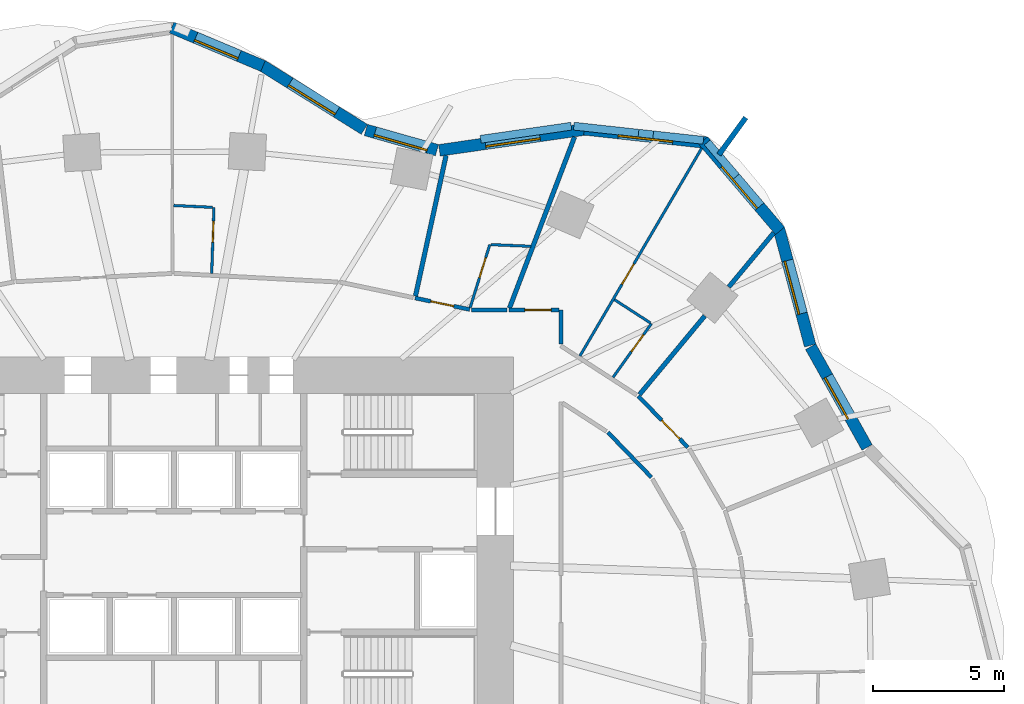
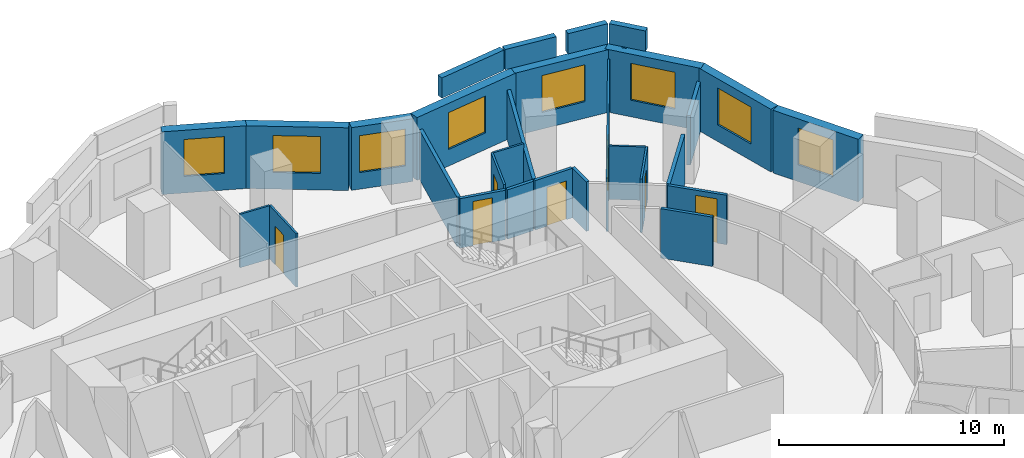
# One storey, part 9 of 11: 30 walls, 8 windows, 7 doors, 15 openings.
"""IFC4 building model written with IfcOpenShell, lengths in metres."""

from ifc_helpers import new_model, si_unit, direction, frame, frame_2d, origin, place, context, subcontext, project, spatial, rectangle, extrude, material, layer, layer_set, type_object, element, fill, save


model = new_model("IFC4")

# Units and contexts
model_context = context("Model", 3, precision=1e-05, world=origin(), true_north=direction((0.0, 1.0)))
body_context = subcontext(model_context, "Body", "Model", "MODEL_VIEW")
ifc_project = project(units=[si_unit("LENGTHUNIT", "METRE"), si_unit("AREAUNIT", "SQUARE_METRE"), si_unit("VOLUMEUNIT", "CUBIC_METRE"), si_unit("PLANEANGLEUNIT", "RADIAN"), si_unit("MASSUNIT", "GRAM", prefix="KILO")], contexts=[model_context])

# Site, building, storey
site_placement = place(None, origin())
site = spatial("IfcSite", under=ifc_project, at=site_placement, CompositionType="ELEMENT")
building_placement = place(site_placement, origin())
building = spatial("IfcBuilding", under=site, at=building_placement, Name="Rubra Terraces Tower", CompositionType="ELEMENT")
storey_placement = place(building_placement, frame((0.0, 0.0, 59.10009765625)))
storey = spatial("IfcBuildingStorey", under=building, at=storey_placement, Name="L12", CompositionType="ELEMENT", Elevation=59.10009765625)

# Walls
ifc_material_1 = material(Name="Twin plasterboard on staggered steel stud, acoustic mineral wool", Category="steel")
ifc_layer_1 = layer(ifc_material_1, 0.175048828125)
ifc_layer_set_1 = layer_set([ifc_layer_1], Name="Twin plasterboard on staggered steel stud, acoustic mineral wool")
wall_type_1 = type_object("IfcWallType", Name="ACOUSTIC PARTY WALL 175", PredefinedType="PARTITIONING", material=ifc_layer_set_1)
wall_1_placement = place(storey_placement, frame((22.94677734375, 16.752197265625, 0.0), z_axis=(0.0, 0.0, 1.0), x_axis=(-0.638756388383, -0.769409043552, 0.0)))
element("IfcWall", 1, at=wall_1_placement, inside=storey, type_object=wall_type_1, Name="PARTITION", PredefinedType="PARTITIONING", context=body_context, shape_type="SweptSolid", body=[
    extrude(rectangle(XDim=2.692626953125, YDim=0.175048828125, at=frame_2d((1.34619140625, 0.0))), origin(), (0.0, 0.0, 1.0), 2.679931640625),
])
wall_2_placement = place(storey_placement, frame((20.306884765625, 13.572509765625, 0.0), z_axis=(0.0, 0.0, 1.0), x_axis=(-0.638751887509, -0.769412780114, 0.0)))
element("IfcWall", 2, at=wall_2_placement, inside=storey, type_object=wall_type_1, Name="PARTITION", PredefinedType="PARTITIONING", context=body_context, shape_type="SweptSolid", body=[
    extrude(rectangle(XDim=3.908935546875, YDim=0.175048828125, at=frame_2d((1.95458984375, 0.0))), origin(), (0.0, 0.0, 1.0), 2.679931640625),
])
wall_3_placement = place(storey_placement, frame((15.32666015625, 20.418701171875, 0.0), z_axis=(0.0, 0.0, 1.0), x_axis=(-0.355499704179, -0.934676393373, 0.0)))
element("IfcWall", 3, at=wall_3_placement, inside=storey, type_object=wall_type_1, Name="PARTITION", PredefinedType="PARTITIONING", context=body_context, shape_type="SweptSolid", body=[
    extrude(rectangle(XDim=7.00634765625, YDim=0.175048828125, at=frame_2d((3.503173828125, 0.0))), origin(), (0.0, 0.0, 1.0), 2.679931640625),
])
wall_4_placement = place(storey_placement, frame((10.411376953125, 19.7099609375, 0.0), z_axis=(0.0, 0.0, 1.0), x_axis=(-0.212613726561, -0.977136327888, 0.0)))
element("IfcWall", 4, at=wall_4_placement, inside=storey, type_object=wall_type_1, Name="PARTITION", PredefinedType="PARTITIONING", context=body_context, shape_type="SweptSolid", body=[
    extrude(rectangle(XDim=5.506103515625, YDim=0.175048828125, at=frame_2d((2.7529296875, 0.0))), origin(), (0.0, 0.0, 1.0), 2.679931640625),
])

# Wall, opening, window
ifc_material_2 = material(Name="Brick masonry red-brown", Category="masonry")
ifc_layer_2 = layer(ifc_material_2, 0.449951171875)
ifc_layer_set_2 = layer_set([ifc_layer_2], Name="Brick masonry red-brown")
wall_type_2 = type_object("IfcWallType", Name="Brick facade wall 450", PredefinedType="SOLIDWALL", material=ifc_layer_set_2)
wall_5_placement = place(storey_placement, frame((26.513671875, 8.541015625, 0.0), z_axis=(0.0, 0.0, 1.0), x_axis=(-0.488504028898, 0.87256163894, 0.0)))
wall_5 = element("IfcWall", 5, at=wall_5_placement, inside=storey, type_object=wall_type_2, Name="Facade wall L12 bay 3", PredefinedType="SOLIDWALL", context=body_context, shape_type="SweptSolid", body=[
    extrude(rectangle(XDim=4.41552734375, YDim=0.449951171875, at=frame_2d((2.207763671875, 0.0))), origin(), (0.0, 0.0, 1.0), 3.39990234375),
])
opening_1_placement = place(wall_5_placement, frame((1.307861328125, 0.0, 0.89990234375)))
opening_1 = element("IfcOpeningElement", 6, at=opening_1_placement, cuts=wall_5, Name="Opening W6", PredefinedType="OPENING", context=body_context, shape_type="SweptSolid", body=[
    extrude(rectangle(XDim=1.800048828125, YDim=2.0, at=frame_2d((0.89990234375, 1.0))), frame((0.0, 0.23486328125, 0.0), z_axis=(0.0, -1.0, 0.0), x_axis=(1.0, 0.0, 0.0)), (0.0, 0.0, 1.0), 0.469970703125),
])
ifc_material_3 = material(Name="Clear glass in aluminium frame", Category="aluminium")
window_type_1 = type_object("IfcWindowType", Name="Fixed deep-set window at wind fin 1800 x 2000", PartitioningType="SINGLE_PANEL", PredefinedType="WINDOW", material=ifc_material_3)
window_1_placement = place(opening_1_placement, origin())
window_1 = element("IfcWindow", 7, at=window_1_placement, inside=storey, type_object=window_type_1, Name="Window L12 bay 3", OverallHeight=2.0, OverallWidth=1.800048828125, PartitioningType="SINGLE_PANEL", PredefinedType="WINDOW", context=body_context, shape_type="SweptSolid", body=[
    extrude(rectangle(XDim=1.800048828125, YDim=2.0, at=frame_2d((0.89990234375, 1.0))), frame((0.0, 0.135009765625, 0.0), z_axis=(0.0, -1.0, 0.0), x_axis=(1.0, 0.0, 0.0)), (0.0, 0.0, 1.0), 0.06005859375),
])
fill(opening_1, window_1)

wall_6_placement = place(storey_placement, frame((24.33740234375, 12.439453125, 0.0), z_axis=(0.0, 0.0, 1.0), x_axis=(-0.258441377569, 0.966026942875, 0.0)))
wall_6 = element("IfcWall", 8, at=wall_6_placement, inside=storey, type_object=wall_type_2, Name="Facade wall L12 bay 4", PredefinedType="SOLIDWALL", context=body_context, shape_type="SweptSolid", body=[
    extrude(rectangle(XDim=4.6240234375, YDim=0.449951171875, at=frame_2d((2.31201171875, 0.0))), origin(), (0.0, 0.0, 1.0), 3.39990234375),
])
opening_2_placement = place(wall_6_placement, frame((1.26220703125, 0.0, 0.89990234375)))
opening_2 = element("IfcOpeningElement", 9, at=opening_2_placement, cuts=wall_6, Name="Opening W1", PredefinedType="OPENING", context=body_context, shape_type="SweptSolid", body=[
    extrude(rectangle(XDim=2.10009765625, YDim=2.0, at=frame_2d((1.050048828125, 1.0))), frame((0.0, 0.23486328125, 0.0), z_axis=(0.0, -1.0, 0.0), x_axis=(1.0, 0.0, 0.0)), (0.0, 0.0, 1.0), 0.469970703125),
])
window_type_2 = type_object("IfcWindowType", Name="Fixed deep-set window 2100 x 2000", PartitioningType="SINGLE_PANEL", PredefinedType="WINDOW", material=ifc_material_3)
window_2_placement = place(opening_2_placement, origin())
window_2 = element("IfcWindow", 10, at=window_2_placement, inside=storey, type_object=window_type_2, Name="Window L12 bay 4", OverallHeight=2.0, OverallWidth=2.10009765625, PartitioningType="SINGLE_PANEL", PredefinedType="WINDOW", context=body_context, shape_type="SweptSolid", body=[
    extrude(rectangle(XDim=2.10009765625, YDim=2.0, at=frame_2d((1.050048828125, 1.0))), frame((0.0, 0.135009765625, 0.0), z_axis=(0.0, -1.0, 0.0), x_axis=(1.0, 0.0, 0.0)), (0.0, 0.0, 1.0), 0.06005859375),
])
fill(opening_2, window_2)

wall_7_placement = place(storey_placement, frame((23.186767578125, 16.8251953125, 0.0), z_axis=(0.0, 0.0, 1.0), x_axis=(-0.648462985992, 0.761246186065, 0.0)))
wall_7 = element("IfcWall", 11, at=wall_7_placement, inside=storey, type_object=wall_type_2, Name="Facade wall L12 bay 5", PredefinedType="SOLIDWALL", context=body_context, shape_type="SweptSolid", body=[
    extrude(rectangle(XDim=4.53076171875, YDim=0.449951171875, at=frame_2d((2.265380859375, 0.0))), origin(), (0.0, 0.0, 1.0), 3.39990234375),
])
opening_3_placement = place(wall_7_placement, frame((1.21533203125, 0.0, 0.89990234375)))
opening_3 = element("IfcOpeningElement", 12, at=opening_3_placement, cuts=wall_7, Name="Opening W1", PredefinedType="OPENING", context=body_context, shape_type="SweptSolid", body=[
    extrude(rectangle(XDim=2.10009765625, YDim=2.0, at=frame_2d((1.050048828125, 1.0))), frame((0.0, 0.23486328125, 0.0), z_axis=(0.0, -1.0, 0.0), x_axis=(1.0, 0.0, 0.0)), (0.0, 0.0, 1.0), 0.469970703125),
])
window_3_placement = place(opening_3_placement, origin())
window_3 = element("IfcWindow", 13, at=window_3_placement, inside=storey, type_object=window_type_2, Name="Window L12 bay 5", OverallHeight=2.0, OverallWidth=2.10009765625, PartitioningType="SINGLE_PANEL", PredefinedType="WINDOW", context=body_context, shape_type="SweptSolid", body=[
    extrude(rectangle(XDim=2.10009765625, YDim=2.0, at=frame_2d((1.050048828125, 1.0))), frame((0.0, 0.135009765625, 0.0), z_axis=(0.0, -1.0, 0.0), x_axis=(1.0, 0.0, 0.0)), (0.0, 0.0, 1.0), 0.06005859375),
])
fill(opening_3, window_3)

wall_8_placement = place(storey_placement, frame((20.3955078125, 20.1962890625, 0.0), z_axis=(0.0, 0.0, 1.0), x_axis=(-0.994063142291, 0.108804729393, 0.0)))
wall_8 = element("IfcWall", 14, at=wall_8_placement, inside=storey, type_object=wall_type_2, Name="Facade wall L12 bay 6", PredefinedType="SOLIDWALL", context=body_context, shape_type="SweptSolid", body=[
    extrude(rectangle(XDim=4.727783203125, YDim=0.449951171875, at=frame_2d((2.36376953125, 0.0))), origin(), (0.0, 0.0, 1.0), 3.39990234375),
])
opening_4_placement = place(wall_8_placement, frame((1.31396484375, 0.0, 0.89990234375)))
opening_4 = element("IfcOpeningElement", 15, at=opening_4_placement, cuts=wall_8, Name="Opening W1", PredefinedType="OPENING", context=body_context, shape_type="SweptSolid", body=[
    extrude(rectangle(XDim=2.10009765625, YDim=2.0, at=frame_2d((1.050048828125, 1.0))), frame((0.0, 0.23486328125, 0.0), z_axis=(0.0, -1.0, 0.0), x_axis=(1.0, 0.0, 0.0)), (0.0, 0.0, 1.0), 0.469970703125),
])
window_4_placement = place(opening_4_placement, origin())
window_4 = element("IfcWindow", 16, at=window_4_placement, inside=storey, type_object=window_type_2, Name="Window L12 bay 6", OverallHeight=2.0, OverallWidth=2.10009765625, PartitioningType="SINGLE_PANEL", PredefinedType="WINDOW", context=body_context, shape_type="SweptSolid", body=[
    extrude(rectangle(XDim=2.10009765625, YDim=2.0, at=frame_2d((1.050048828125, 1.0))), frame((0.0, 0.135009765625, 0.0), z_axis=(0.0, -1.0, 0.0), x_axis=(1.0, 0.0, 0.0)), (0.0, 0.0, 1.0), 0.06005859375),
])
fill(opening_4, window_4)

wall_9_placement = place(storey_placement, frame((15.752197265625, 20.71142578125, 0.0), z_axis=(0.0, 0.0, 1.0), x_axis=(-0.989761192351, -0.142733255115, 0.0)))
wall_9 = element("IfcWall", 17, at=wall_9_placement, inside=storey, type_object=wall_type_2, Name="Facade wall L12 bay 7", PredefinedType="SOLIDWALL", context=body_context, shape_type="SweptSolid", body=[
    extrude(rectangle(XDim=5.653076171875, YDim=0.449951171875, at=frame_2d((2.82666015625, 0.0))), origin(), (0.0, 0.0, 1.0), 3.39990234375),
])
opening_5_placement = place(wall_9_placement, frame((1.776611328125, 0.0, 0.89990234375)))
opening_5 = element("IfcOpeningElement", 18, at=opening_5_placement, cuts=wall_9, Name="Opening W1", PredefinedType="OPENING", context=body_context, shape_type="SweptSolid", body=[
    extrude(rectangle(XDim=2.10009765625, YDim=2.0, at=frame_2d((1.050048828125, 1.0))), frame((0.0, 0.23486328125, 0.0), z_axis=(0.0, -1.0, 0.0), x_axis=(1.0, 0.0, 0.0)), (0.0, 0.0, 1.0), 0.469970703125),
])
window_5_placement = place(opening_5_placement, origin())
window_5 = element("IfcWindow", 19, at=window_5_placement, inside=storey, type_object=window_type_2, Name="Window L12 bay 7", OverallHeight=2.0, OverallWidth=2.10009765625, PartitioningType="SINGLE_PANEL", PredefinedType="WINDOW", context=body_context, shape_type="SweptSolid", body=[
    extrude(rectangle(XDim=2.10009765625, YDim=2.0, at=frame_2d((1.050048828125, 1.0))), frame((0.0, 0.135009765625, 0.0), z_axis=(0.0, -1.0, 0.0), x_axis=(1.0, 0.0, 0.0)), (0.0, 0.0, 1.0), 0.06005859375),
])
fill(opening_5, window_5)

wall_10_placement = place(storey_placement, frame((10.063232421875, 19.910888671875, 0.0), z_axis=(0.0, 0.0, 1.0), x_axis=(-0.961982029567, 0.273112751057, 0.0)))
wall_10 = element("IfcWall", 20, at=wall_10_placement, inside=storey, type_object=wall_type_2, Name="Facade wall L12 bay 8", PredefinedType="SOLIDWALL", context=body_context, shape_type="SweptSolid", body=[
    extrude(rectangle(XDim=2.827392578125, YDim=0.449951171875, at=frame_2d((1.41357421875, 0.0))), origin(), (0.0, 0.0, 1.0), 3.39990234375),
])
opening_6_placement = place(wall_10_placement, frame((0.36376953125, 0.0, 0.89990234375)))
opening_6 = element("IfcOpeningElement", 21, at=opening_6_placement, cuts=wall_10, Name="Opening W1", PredefinedType="OPENING", context=body_context, shape_type="SweptSolid", body=[
    extrude(rectangle(XDim=2.10009765625, YDim=2.0, at=frame_2d((1.050048828125, 1.0))), frame((0.0, 0.23486328125, 0.0), z_axis=(0.0, -1.0, 0.0), x_axis=(1.0, 0.0, 0.0)), (0.0, 0.0, 1.0), 0.469970703125),
])
window_6_placement = place(opening_6_placement, origin())
window_6 = element("IfcWindow", 22, at=window_6_placement, inside=storey, type_object=window_type_2, Name="Window L12 bay 8", OverallHeight=2.0, OverallWidth=2.10009765625, PartitioningType="SINGLE_PANEL", PredefinedType="WINDOW", context=body_context, shape_type="SweptSolid", body=[
    extrude(rectangle(XDim=2.10009765625, YDim=2.0, at=frame_2d((1.050048828125, 1.0))), frame((0.0, 0.135009765625, 0.0), z_axis=(0.0, -1.0, 0.0), x_axis=(1.0, 0.0, 0.0)), (0.0, 0.0, 1.0), 0.06005859375),
])
fill(opening_6, window_6)

wall_11_placement = place(storey_placement, frame((7.28564453125, 20.70849609375, 0.0), z_axis=(0.0, 0.0, 1.0), x_axis=(-0.848420894374, 0.529322194878, 0.0)))
wall_11 = element("IfcWall", 23, at=wall_11_placement, inside=storey, type_object=wall_type_2, Name="Facade wall L12 bay 9", PredefinedType="SOLIDWALL", context=body_context, shape_type="SweptSolid", body=[
    extrude(rectangle(XDim=4.60595703125, YDim=0.449951171875, at=frame_2d((2.302978515625, 0.0))), origin(), (0.0, 0.0, 1.0), 3.39990234375),
])
opening_7_placement = place(wall_11_placement, frame((1.2529296875, 0.0, 0.89990234375)))
opening_7 = element("IfcOpeningElement", 24, at=opening_7_placement, cuts=wall_11, Name="Opening W1", PredefinedType="OPENING", context=body_context, shape_type="SweptSolid", body=[
    extrude(rectangle(XDim=2.10009765625, YDim=2.0, at=frame_2d((1.050048828125, 1.0))), frame((0.0, 0.23486328125, 0.0), z_axis=(0.0, -1.0, 0.0), x_axis=(1.0, 0.0, 0.0)), (0.0, 0.0, 1.0), 0.469970703125),
])
window_7_placement = place(opening_7_placement, origin())
window_7 = element("IfcWindow", 25, at=window_7_placement, inside=storey, type_object=window_type_2, Name="Window L12 bay 9", OverallHeight=2.0, OverallWidth=2.10009765625, PartitioningType="SINGLE_PANEL", PredefinedType="WINDOW", context=body_context, shape_type="SweptSolid", body=[
    extrude(rectangle(XDim=2.10009765625, YDim=2.0, at=frame_2d((1.050048828125, 1.0))), frame((0.0, 0.135009765625, 0.0), z_axis=(0.0, -1.0, 0.0), x_axis=(1.0, 0.0, 0.0)), (0.0, 0.0, 1.0), 0.06005859375),
])
fill(opening_7, window_7)

wall_12_placement = place(storey_placement, frame((3.409912109375, 23.130126953125, 0.0), z_axis=(0.0, 0.0, 1.0), x_axis=(-0.921914994676, 0.387392233521, 0.0)))
wall_12 = element("IfcWall", 26, at=wall_12_placement, inside=storey, type_object=wall_type_2, Name="Facade wall L12 bay 10", PredefinedType="SOLIDWALL", context=body_context, shape_type="SweptSolid", body=[
    extrude(rectangle(XDim=3.793212890625, YDim=0.449951171875, at=frame_2d((1.896484375, 0.0))), origin(), (0.0, 0.0, 1.0), 3.39990234375),
])
opening_8_placement = place(wall_12_placement, frame((0.99658203125, 0.0, 0.89990234375)))
opening_8 = element("IfcOpeningElement", 27, at=opening_8_placement, cuts=wall_12, Name="Opening W6", PredefinedType="OPENING", context=body_context, shape_type="SweptSolid", body=[
    extrude(rectangle(XDim=1.800048828125, YDim=2.0, at=frame_2d((0.89990234375, 1.0))), frame((0.0, 0.23486328125, 0.0), z_axis=(0.0, -1.0, 0.0), x_axis=(1.0, 0.0, 0.0)), (0.0, 0.0, 1.0), 0.469970703125),
])
window_8_placement = place(opening_8_placement, origin())
window_8 = element("IfcWindow", 28, at=window_8_placement, inside=storey, type_object=window_type_1, Name="Window L12 bay 10", OverallHeight=2.0, OverallWidth=1.800048828125, PartitioningType="SINGLE_PANEL", PredefinedType="WINDOW", context=body_context, shape_type="SweptSolid", body=[
    extrude(rectangle(XDim=1.800048828125, YDim=2.0, at=frame_2d((0.89990234375, 1.0))), frame((0.0, 0.135009765625, 0.0), z_axis=(0.0, -1.0, 0.0), x_axis=(1.0, 0.0, 0.0)), (0.0, 0.0, 1.0), 0.06005859375),
])
fill(opening_8, window_8)

# Walls
ifc_layer_3 = layer(ifc_material_2, 0.300048828125)
ifc_layer_set_3 = layer_set([ifc_layer_3], Name="Brick masonry red-brown")
wall_type_3 = type_object("IfcWallType", Name="Brick parapet 300", PredefinedType="PARAPET", material=ifc_layer_set_3)
wall_13_placement = place(storey_placement, frame((21.5126953125, 18.906005859375, 3.599853515625), z_axis=(0.0, 0.0, 1.0), x_axis=(-0.648451151452, 0.761256267088, 0.0)))
element("IfcWall", 29, at=wall_13_placement, inside=storey, type_object=wall_type_3, Name="Parapet L12 bay 5", PredefinedType="PARAPET", context=body_context, shape_type="SweptSolid", body=[
    extrude(rectangle(XDim=1.7119140625, YDim=0.300048828125, at=frame_2d((0.85595703125, 0.0))), origin(), (0.0, 0.0, 1.0), 1.10009765625),
])
wall_14_placement = place(storey_placement, frame((20.25537109375, 20.287109375, 3.599853515625), z_axis=(0.0, 0.0, 1.0), x_axis=(-0.994062724773, 0.108808543863, 0.0)))
element("IfcWall", 30, at=wall_14_placement, inside=storey, type_object=wall_type_3, Name="Parapet L12 bay 6", PredefinedType="PARAPET", context=body_context, shape_type="SweptSolid", body=[
    extrude(rectangle(XDim=1.931884765625, YDim=0.300048828125, at=frame_2d((0.9658203125, 0.0))), origin(), (0.0, 0.0, 1.0), 1.10009765625),
])
wall_15_placement = place(storey_placement, frame((17.77197265625, 20.558837890625, 3.599853515625), z_axis=(0.0, 0.0, 1.0), x_axis=(-0.994063072833, 0.108805363973, 0.0)))
element("IfcWall", 31, at=wall_15_placement, inside=storey, type_object=wall_type_3, Name="Parapet L12 bay 6.2", PredefinedType="PARAPET", context=body_context, shape_type="SweptSolid", body=[
    extrude(rectangle(XDim=2.488525390625, YDim=0.300048828125, at=frame_2d((1.244140625, 0.0))), origin(), (0.0, 0.0, 1.0), 1.10009765625),
])
wall_16_placement = place(storey_placement, frame((15.201171875, 20.827880859375, 3.599853515625), z_axis=(0.0, 0.0, 1.0), x_axis=(-0.989761856496, -0.142728649634, 0.0)))
element("IfcWall", 32, at=wall_16_placement, inside=storey, type_object=wall_type_3, Name="Parapet L12 bay 7", PredefinedType="PARAPET", context=body_context, shape_type="SweptSolid", body=[
    extrude(rectangle(XDim=3.503173828125, YDim=0.300048828125, at=frame_2d((1.75146484375, 0.0))), origin(), (0.0, 0.0, 1.0), 1.10009765625),
])
ifc_layer_4 = layer(ifc_material_2, 0.199951171875)
ifc_layer_set_4 = layer_set([ifc_layer_4], Name="Brick masonry red-brown")
wall_type_4 = type_object("IfcWallType", Name="Brick wind fin 200", PredefinedType="SOLIDWALL", material=ifc_layer_set_4)
wall_17_placement = place(storey_placement, frame((20.845947265625, 19.739013671875, 0.0), z_axis=(0.0, 0.0, 1.0), x_axis=(0.587607490034, 0.809146116382, 0.0)))
element("IfcWall", 33, at=wall_17_placement, inside=storey, type_object=wall_type_4, Name="Wind fin L12 3", PredefinedType="SOLIDWALL", context=body_context, shape_type="SweptSolid", body=[
    extrude(rectangle(XDim=1.75, YDim=0.199951171875, at=frame_2d((0.875, 0.0))), origin(), (0.0, 0.0, 1.0), 3.39990234375),
])

# Wall, opening, door
ifc_material_4 = material(Name="Plasterboard on steel stud, mineral wool infill", Category="steel")
ifc_layer_5 = layer(ifc_material_4, 0.14990234375)
ifc_layer_set_5 = layer_set([ifc_layer_5], Name="Plasterboard on steel stud, mineral wool infill")
wall_type_5 = type_object("IfcWallType", Name="CORRIDOR PARTITION 150", PredefinedType="PARTITIONING", material=ifc_layer_set_5)
wall_18_placement = place(storey_placement, frame((19.662841796875, 8.5419921875, 0.0), z_axis=(0.0, 0.0, 1.0), x_axis=(-0.695220577526, 0.718796458383, 0.0)))
wall_18 = element("IfcWall", 34, at=wall_18_placement, inside=storey, type_object=wall_type_5, Name="PARTITION", PredefinedType="PARTITIONING", context=body_context, shape_type="SweptSolid", body=[
    extrude(rectangle(XDim=2.73388671875, YDim=0.14990234375, at=frame_2d((1.366943359375, 0.0))), origin(), (0.0, 0.0, 1.0), 2.679931640625),
])
opening_9_placement = place(wall_18_placement, frame((0.449951171875, 0.0, 0.0)))
opening_9 = element("IfcOpeningElement", 35, at=opening_9_placement, cuts=wall_18, Name="Opening 12-126", PredefinedType="OPENING", context=body_context, shape_type="SweptSolid", body=[
    extrude(rectangle(XDim=1.0, YDim=2.39990234375, at=frame_2d((0.5, 1.199951171875))), frame((0.0, 0.0849609375, 0.0), z_axis=(0.0, -1.0, 0.0), x_axis=(1.0, 0.0, 0.0)), (0.0, 0.0, 1.0), 0.169921875),
])
ifc_material_5 = material(Name="Glazed aluminium meeting door leaf", Category="aluminium")
door_type_1 = type_object("IfcDoorType", Name="MEETING ROOM GLAZED DOOR 1000 X 2400", OperationType="SINGLE_SWING_LEFT", PredefinedType="DOOR", material=ifc_material_5)
door_1_placement = place(opening_9_placement, origin())
door_1 = element("IfcDoor", 36, at=door_1_placement, inside=storey, type_object=door_type_1, Name="DOOR 12-126", OperationType="SINGLE_SWING_RIGHT", OverallHeight=2.39990234375, OverallWidth=1.0, PredefinedType="DOOR", context=body_context, shape_type="SweptSolid", body=[
    extrude(rectangle(XDim=1.0, YDim=2.39990234375, at=frame_2d((0.5, 1.199951171875))), frame((0.0, 0.02490234375, 0.0), z_axis=(0.0, -1.0, 0.0), x_axis=(1.0, 0.0, 0.0)), (0.0, 0.0, 1.0), 0.050048828125),
])
fill(opening_9, door_1)

# Wall
wall_19_placement = place(storey_placement, frame((14.80029296875, 12.501708984375, 0.0), z_axis=(0.0, 0.0, 1.0), x_axis=(-0.000188040613, 0.99999998232, 0.0)))
element("IfcWall", 37, at=wall_19_placement, inside=storey, type_object=wall_type_5, Name="PARTITION", PredefinedType="PARTITIONING", context=body_context, shape_type="SweptSolid", body=[
    extrude(rectangle(XDim=1.29833984375, YDim=0.14990234375, at=frame_2d((0.649169921875, 0.0))), origin(), (0.0, 0.0, 1.0), 2.679931640625),
])

# Wall, opening, door
wall_20_placement = place(storey_placement, frame((14.72509765625, 13.800048828125, 0.0), z_axis=(0.0, 0.0, 1.0), x_axis=(-1.0, 0.0, 0.0)))
wall_20 = element("IfcWall", 38, at=wall_20_placement, inside=storey, type_object=wall_type_5, Name="PARTITION", PredefinedType="PARTITIONING", context=body_context, shape_type="SweptSolid", body=[
    extrude(rectangle(XDim=1.915771484375, YDim=0.14990234375, at=frame_2d((0.9580078125, 0.0))), origin(), (0.0, 0.0, 1.0), 2.679931640625),
])
opening_10_placement = place(wall_20_placement, frame((0.300048828125, 0.0, 0.0)))
opening_10 = element("IfcOpeningElement", 39, at=opening_10_placement, cuts=wall_20, Name="Opening 12-129", PredefinedType="OPENING", context=body_context, shape_type="SweptSolid", body=[
    extrude(rectangle(XDim=1.0, YDim=2.10009765625, at=frame_2d((0.5, 1.050048828125))), frame((0.0, 0.0849609375, 0.0), z_axis=(0.0, -1.0, 0.0), x_axis=(1.0, 0.0, 0.0)), (0.0, 0.0, 1.0), 0.169921875),
])
ifc_material_6 = material(Name="Painted timber door leaf", Category="wood")
door_type_2 = type_object("IfcDoorType", Name="ROOM DOOR 1000 X 2100", OperationType="SINGLE_SWING_LEFT", PredefinedType="DOOR", material=ifc_material_6)
door_2_placement = place(opening_10_placement, origin())
door_2 = element("IfcDoor", 40, at=door_2_placement, inside=storey, type_object=door_type_2, Name="DOOR 12-129", OperationType="SINGLE_SWING_RIGHT", OverallHeight=2.10009765625, OverallWidth=1.0, PredefinedType="DOOR", context=body_context, shape_type="SweptSolid", body=[
    extrude(rectangle(XDim=1.0, YDim=2.10009765625, at=frame_2d((0.5, 1.050048828125))), frame((0.0, 0.02490234375, 0.0), z_axis=(0.0, -1.0, 0.0), x_axis=(1.0, 0.0, 0.0)), (0.0, 0.0, 1.0), 0.050048828125),
])
fill(opening_10, door_2)

# Wall
wall_21_placement = place(storey_placement, frame((12.734375, 13.800048828125, 0.0), z_axis=(0.0, 0.0, 1.0), x_axis=(-1.0, 0.0, 0.0)))
element("IfcWall", 41, at=wall_21_placement, inside=storey, type_object=wall_type_5, Name="PARTITION", PredefinedType="PARTITIONING", context=body_context, shape_type="SweptSolid", body=[
    extrude(rectangle(XDim=1.344970703125, YDim=0.14990234375, at=frame_2d((0.67236328125, 0.0))), origin(), (0.0, 0.0, 1.0), 2.679931640625),
])

# Wall, opening, door
wall_22_placement = place(storey_placement, frame((11.31591796875, 13.8154296875, 0.0), z_axis=(0.0, 0.0, 1.0), x_axis=(-0.978461212154, 0.206430754275, 0.0)))
wall_22 = element("IfcWall", 42, at=wall_22_placement, inside=storey, type_object=wall_type_5, Name="PARTITION", PredefinedType="PARTITIONING", context=body_context, shape_type="SweptSolid", body=[
    extrude(rectangle(XDim=2.13720703125, YDim=0.14990234375, at=frame_2d((1.068603515625, 0.0))), origin(), (0.0, 0.0, 1.0), 2.679931640625),
])
opening_11_placement = place(wall_22_placement, frame((0.62109375, 0.0, 0.0)))
opening_11 = element("IfcOpeningElement", 43, at=opening_11_placement, cuts=wall_22, Name="Opening 12-131", PredefinedType="OPENING", context=body_context, shape_type="SweptSolid", body=[
    extrude(rectangle(XDim=0.89990234375, YDim=2.39990234375, at=frame_2d((0.449951171875, 1.199951171875))), frame((0.0, 0.0849609375, 0.0), z_axis=(0.0, -1.0, 0.0), x_axis=(1.0, 0.0, 0.0)), (0.0, 0.0, 1.0), 0.169921875),
])
ifc_material_7 = material(Name="Veneered timber door leaf, fire-rated", Category="wood")
door_type_3 = type_object("IfcDoorType", Name="SUITE ENTRANCE DOOR 900 X 2400", OperationType="SINGLE_SWING_LEFT", PredefinedType="DOOR", material=ifc_material_7)
door_3_placement = place(opening_11_placement, origin())
door_3 = element("IfcDoor", 44, at=door_3_placement, inside=storey, type_object=door_type_3, Name="DOOR 12-131", OperationType="SINGLE_SWING_RIGHT", OverallHeight=2.39990234375, OverallWidth=0.89990234375, PredefinedType="DOOR", context=body_context, shape_type="SweptSolid", body=[
    extrude(rectangle(XDim=0.89990234375, YDim=2.39990234375, at=frame_2d((0.449951171875, 1.199951171875))), frame((0.0, 0.02490234375, 0.0), z_axis=(0.0, -1.0, 0.0), x_axis=(1.0, 0.0, 0.0)), (0.0, 0.0, 1.0), 0.050048828125),
])
fill(opening_11, door_3)

# Wall
wall_23_placement = place(storey_placement, frame((16.603515625, 9.1162109375, 0.0), z_axis=(0.0, 0.0, 1.0), x_axis=(0.695185405932, -0.718830474716, 0.0)))
element("IfcWall", 45, at=wall_23_placement, inside=storey, type_object=wall_type_5, Name="PARTITION", PredefinedType="PARTITIONING", context=body_context, shape_type="SweptSolid", body=[
    extrude(rectangle(XDim=2.3955078125, YDim=0.14990234375, at=frame_2d((1.19775390625, 0.0))), origin(), (0.0, 0.0, 1.0), 2.679931640625),
])

# Wall, opening, door
ifc_material_8 = material(Name="Plasterboard on steel stud", Category="steel")
ifc_layer_6 = layer(ifc_material_8, 0.10009765625)
ifc_layer_set_6 = layer_set([ifc_layer_6], Name="Plasterboard on steel stud")
wall_type_6 = type_object("IfcWallType", Name="ROOM PARTITION 100", PredefinedType="PARTITIONING", material=ifc_layer_set_6)
wall_24_placement = place(storey_placement, frame((20.191162109375, 19.98828125, 0.0), z_axis=(0.0, 0.0, 1.0), x_axis=(-0.505620182585, -0.862756182802, 0.0)))
wall_24 = element("IfcWall", 46, at=wall_24_placement, inside=storey, type_object=wall_type_6, Name="PARTITION", PredefinedType="PARTITIONING", context=body_context, shape_type="SweptSolid", body=[
    extrude(rectangle(XDim=9.2109375, YDim=0.10009765625, at=frame_2d((4.60546875, 0.0))), origin(), (0.0, 0.0, 1.0), 2.89794921875),
])
opening_12_placement = place(wall_24_placement, frame((5.135986328125, 0.0, 0.0)))
opening_12 = element("IfcOpeningElement", 47, at=opening_12_placement, cuts=wall_24, Name="Opening 12-128", PredefinedType="OPENING", context=body_context, shape_type="SweptSolid", body=[
    extrude(rectangle(XDim=0.89990234375, YDim=2.39990234375, at=frame_2d((0.449951171875, 1.199951171875))), frame((0.0, 0.06005859375, 0.0), z_axis=(0.0, -1.0, 0.0), x_axis=(1.0, 0.0, 0.0)), (0.0, 0.0, 1.0), 0.1201171875),
])
door_4_placement = place(opening_12_placement, origin())
door_4 = element("IfcDoor", 48, at=door_4_placement, inside=storey, type_object=door_type_3, Name="DOOR 12-128", OperationType="SINGLE_SWING_LEFT", OverallHeight=2.39990234375, OverallWidth=0.89990234375, PredefinedType="DOOR", context=body_context, shape_type="SweptSolid", body=[
    extrude(rectangle(XDim=0.89990234375, YDim=2.39990234375, at=frame_2d((0.449951171875, 1.199951171875))), frame((0.0, 0.02490234375, 0.0), z_axis=(0.0, -1.0, 0.0), x_axis=(1.0, 0.0, 0.0)), (0.0, 0.0, 1.0), 0.050048828125),
])
fill(opening_12, door_4)

wall_25_placement = place(storey_placement, frame((16.798828125, 11.222900390625, 0.0), z_axis=(0.0, 0.0, 1.0), x_axis=(0.581494263037, 0.81355050369, 0.0)))
wall_25 = element("IfcWall", 49, at=wall_25_placement, inside=storey, type_object=wall_type_6, Name="PARTITION", PredefinedType="PARTITIONING", context=body_context, shape_type="SweptSolid", body=[
    extrude(rectangle(XDim=2.52490234375, YDim=0.10009765625, at=frame_2d((1.262451171875, 0.0))), origin(), (0.0, 0.0, 1.0), 2.89794921875),
])
opening_13_placement = place(wall_25_placement, frame((1.199951171875, 0.0, 0.0)))
opening_13 = element("IfcOpeningElement", 50, at=opening_13_placement, cuts=wall_25, Name="Opening 12-127", PredefinedType="OPENING", context=body_context, shape_type="SweptSolid", body=[
    extrude(rectangle(XDim=0.800048828125, YDim=2.10009765625, at=frame_2d((0.39990234375, 1.050048828125))), frame((0.0, 0.06005859375, 0.0), z_axis=(0.0, -1.0, 0.0), x_axis=(1.0, 0.0, 0.0)), (0.0, 0.0, 1.0), 0.1201171875),
])
door_type_4 = type_object("IfcDoorType", Name="BATHROOM DOOR 800 X 2100", OperationType="SINGLE_SWING_LEFT", PredefinedType="DOOR", material=ifc_material_6)
door_5_placement = place(opening_13_placement, origin())
door_5 = element("IfcDoor", 51, at=door_5_placement, inside=storey, type_object=door_type_4, Name="DOOR 12-127", OperationType="SINGLE_SWING_LEFT", OverallHeight=2.10009765625, OverallWidth=0.800048828125, PredefinedType="DOOR", context=body_context, shape_type="SweptSolid", body=[
    extrude(rectangle(XDim=0.800048828125, YDim=2.10009765625, at=frame_2d((0.39990234375, 1.050048828125))), frame((0.0, 0.02490234375, 0.0), z_axis=(0.0, -1.0, 0.0), x_axis=(1.0, 0.0, 0.0)), (0.0, 0.0, 1.0), 0.050048828125),
])
fill(opening_13, door_5)

# Wall
wall_26_placement = place(storey_placement, frame((18.22509765625, 13.30419921875, 0.0), z_axis=(0.0, 0.0, 1.0), x_axis=(-0.839486017112, 0.543381290692, 0.0)))
element("IfcWall", 52, at=wall_26_placement, inside=storey, type_object=wall_type_6, Name="PARTITION", PredefinedType="PARTITIONING", context=body_context, shape_type="SweptSolid", body=[
    extrude(rectangle(XDim=1.635009765625, YDim=0.10009765625, at=frame_2d((0.8173828125, 0.0))), origin(), (0.0, 0.0, 1.0), 2.89794921875),
])

# Wall, opening, door
wall_27_placement = place(storey_placement, frame((11.333251953125, 13.88818359375, 0.0), z_axis=(0.0, 0.0, 1.0), x_axis=(0.297311415603, 0.954780562303, 0.0)))
wall_27 = element("IfcWall", 53, at=wall_27_placement, inside=storey, type_object=wall_type_6, Name="PARTITION", PredefinedType="PARTITIONING", context=body_context, shape_type="SweptSolid", body=[
    extrude(rectangle(XDim=2.525146484375, YDim=0.10009765625, at=frame_2d((1.2626953125, 0.0))), origin(), (0.0, 0.0, 1.0), 2.89794921875),
])
opening_14_placement = place(wall_27_placement, frame((1.199951171875, 0.0, 0.0)))
opening_14 = element("IfcOpeningElement", 54, at=opening_14_placement, cuts=wall_27, Name="Opening 12-130", PredefinedType="OPENING", context=body_context, shape_type="SweptSolid", body=[
    extrude(rectangle(XDim=0.800048828125, YDim=2.10009765625, at=frame_2d((0.39990234375, 1.050048828125))), frame((0.0, 0.06005859375, 0.0), z_axis=(0.0, -1.0, 0.0), x_axis=(1.0, 0.0, 0.0)), (0.0, 0.0, 1.0), 0.1201171875),
])
door_6_placement = place(opening_14_placement, origin())
door_6 = element("IfcDoor", 55, at=door_6_placement, inside=storey, type_object=door_type_4, Name="DOOR 12-130", OperationType="SINGLE_SWING_LEFT", OverallHeight=2.10009765625, OverallWidth=0.800048828125, PredefinedType="DOOR", context=body_context, shape_type="SweptSolid", body=[
    extrude(rectangle(XDim=0.800048828125, YDim=2.10009765625, at=frame_2d((0.39990234375, 1.050048828125))), frame((0.0, 0.02490234375, 0.0), z_axis=(0.0, -1.0, 0.0), x_axis=(1.0, 0.0, 0.0)), (0.0, 0.0, 1.0), 0.050048828125),
])
fill(opening_14, door_6)

# Wall
wall_28_placement = place(storey_placement, frame((12.1337890625, 16.296875, 0.0), z_axis=(0.0, 0.0, 1.0), x_axis=(0.999134735698, -0.041590623004, 0.0)))
element("IfcWall", 56, at=wall_28_placement, inside=storey, type_object=wall_type_6, Name="PARTITION", PredefinedType="PARTITIONING", context=body_context, shape_type="SweptSolid", body=[
    extrude(rectangle(XDim=1.526123046875, YDim=0.10009765625, at=frame_2d((0.76318359375, 0.0))), origin(), (0.0, 0.0, 1.0), 2.89794921875),
])

# Wall, opening, door
wall_29_placement = place(storey_placement, frame((1.4462890625, 15.197998046875, 0.0), z_axis=(0.0, 0.0, 1.0), x_axis=(0.033742987288, 0.999430543264, 0.0)))
wall_29 = element("IfcWall", 57, at=wall_29_placement, inside=storey, type_object=wall_type_6, Name="PARTITION", PredefinedType="PARTITIONING", context=body_context, shape_type="SweptSolid", body=[
    extrude(rectangle(XDim=2.525146484375, YDim=0.10009765625, at=frame_2d((1.2626953125, 0.0))), origin(), (0.0, 0.0, 1.0), 2.89794921875),
])
opening_15_placement = place(wall_29_placement, frame((1.199951171875, 0.0, 0.0)))
opening_15 = element("IfcOpeningElement", 58, at=opening_15_placement, cuts=wall_29, Name="Opening 12-132", PredefinedType="OPENING", context=body_context, shape_type="SweptSolid", body=[
    extrude(rectangle(XDim=0.800048828125, YDim=2.10009765625, at=frame_2d((0.39990234375, 1.050048828125))), frame((0.0, 0.06005859375, 0.0), z_axis=(0.0, -1.0, 0.0), x_axis=(1.0, 0.0, 0.0)), (0.0, 0.0, 1.0), 0.1201171875),
])
door_7_placement = place(opening_15_placement, origin())
door_7 = element("IfcDoor", 59, at=door_7_placement, inside=storey, type_object=door_type_4, Name="DOOR 12-132", OperationType="SINGLE_SWING_LEFT", OverallHeight=2.10009765625, OverallWidth=0.800048828125, PredefinedType="DOOR", context=body_context, shape_type="SweptSolid", body=[
    extrude(rectangle(XDim=0.800048828125, YDim=2.10009765625, at=frame_2d((0.39990234375, 1.050048828125))), frame((0.0, 0.02490234375, 0.0), z_axis=(0.0, -1.0, 0.0), x_axis=(1.0, 0.0, 0.0)), (0.0, 0.0, 1.0), 0.050048828125),
])
fill(opening_15, door_7)

# Wall
wall_30_placement = place(storey_placement, frame((1.481689453125, 17.72412109375, 0.0), z_axis=(0.0, 0.0, 1.0), x_axis=(-0.998876653786, 0.047385973891, 0.0)))
element("IfcWall", 60, at=wall_30_placement, inside=storey, type_object=wall_type_6, Name="PARTITION", PredefinedType="PARTITIONING", context=body_context, shape_type="SweptSolid", body=[
    extrude(rectangle(XDim=1.489013671875, YDim=0.10009765625, at=frame_2d((0.74462890625, 0.0))), origin(), (0.0, 0.0, 1.0), 2.89794921875),
])

save(model, "model.ifc")
